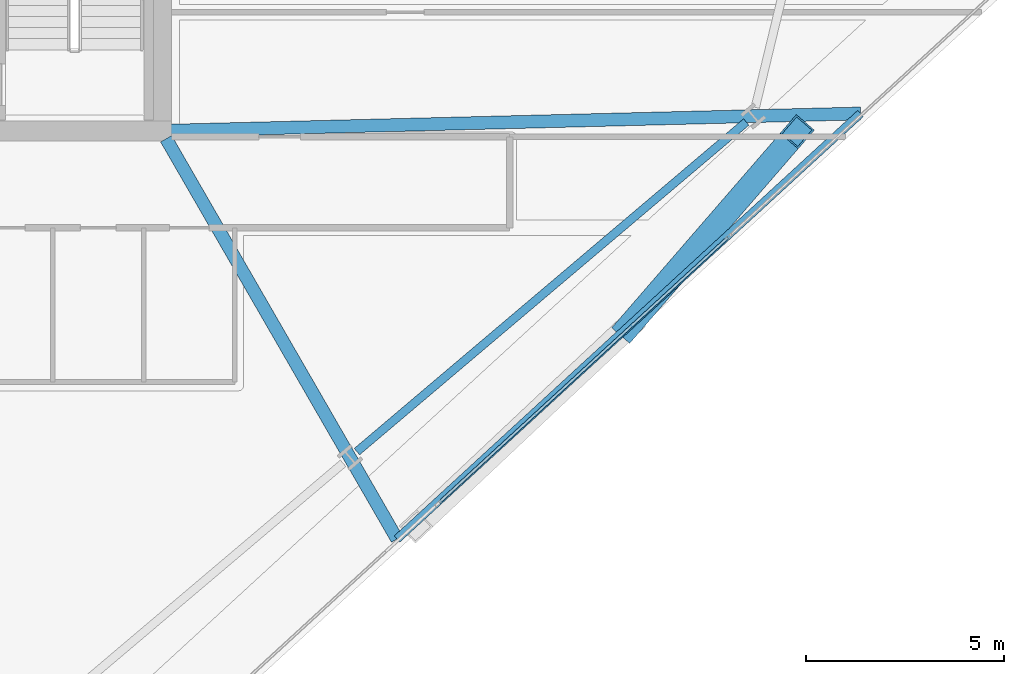
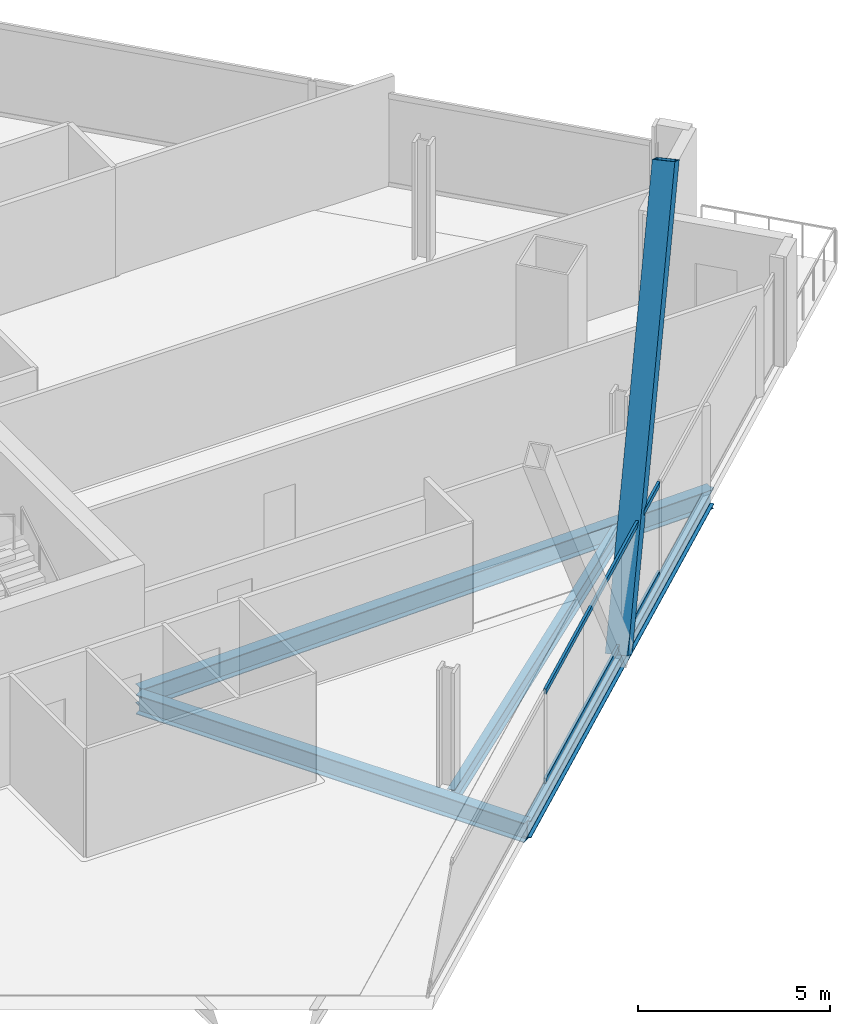
# One storey, part 9 of 32: 4 beams, 3 members, 1 element without a shape of its own.
"""IFC4 building model written with IfcOpenShell, lengths in metres."""

from ifc_helpers import new_model, si_unit, direction, frame, origin, origin_2d, place, context, subcontext, project, spatial, hollow_rectangle, i_section, extrude, material, material_profile, profile_set, type_object, element, aggregate, save


model = new_model("IFC4")

# Units and contexts
model_context = context("Model", 3, precision=1e-05, world=origin(), true_north=direction((0.0, 1.0)))
body_context = subcontext(model_context, "Body", "Model", "MODEL_VIEW")
ifc_project = project(units=[si_unit("LENGTHUNIT", "METRE"), si_unit("AREAUNIT", "SQUARE_METRE"), si_unit("VOLUMEUNIT", "CUBIC_METRE"), si_unit("PLANEANGLEUNIT", "RADIAN"), si_unit("MASSUNIT", "GRAM", prefix="KILO")], contexts=[model_context])

# Site, building, storey
site_placement = place(None, origin())
site = spatial("IfcSite", under=ifc_project, at=site_placement, CompositionType="ELEMENT")
building_placement = place(site_placement, origin())
building = spatial("IfcBuilding", under=site, at=building_placement, Name="Haldenkirk Collegiate Tower", CompositionType="ELEMENT")
storey_placement = place(building_placement, frame((0.0, 0.0, 170.699951171875)))
storey = spatial("IfcBuildingStorey", under=building, at=storey_placement, Name="L42", CompositionType="ELEMENT", Elevation=170.699951171875)

# Beams
ifc_material_1 = material(Name="Steel ASTM A992 Grade 50", Category="steel")
ifc_material_profile_1 = material_profile(ifc_material_1, i_section(OverallWidth=0.324951171875, OverallDepth=0.615966796875, WebThickness=0.013916015625, FlangeThickness=0.021484375, at=origin_2d()), Name="W24X117")
ifc_profile_set_1 = profile_set([ifc_material_profile_1], Name="Steel ASTM A992 Grade 50")
beam_type_1 = type_object("IfcBeamType", Name="BM-GIRDER-W24X117", PredefinedType="BEAM", material=ifc_profile_set_1)
beam_1_placement = place(storey_placement, frame((50.951171875, 7.68212890625, -0.597900390625), z_axis=(-0.499625950951, 0.866241253425, 0.0), x_axis=(-0.866241253425, -0.499625950951, 0.0)))
element("IfcBeam", 1, at=beam_1_placement, inside=storey, type_object=beam_type_1, Name="L42 primary floor girder 06", PredefinedType="BEAM", context=body_context, shape_type="SweptSolid", body=[
    extrude(i_section(OverallWidth=0.324951171875, OverallDepth=0.615966796875, WebThickness=0.013916015625, FlangeThickness=0.021484375, at=origin_2d()), origin(), (0.0, 0.0, 1.0), 11.68115234375),
])
beam_2_placement = place(storey_placement, frame((62.671142578125, 18.4404296875, -0.597900390625), z_axis=(-0.999689383355, -0.024922616383, 0.0), x_axis=(0.024922616383, -0.999689383355, 0.0)))
element("IfcBeam", 2, at=beam_2_placement, inside=storey, type_object=beam_type_1, Name="L42 primary floor girder 07", PredefinedType="BEAM", context=body_context, shape_type="SweptSolid", body=[
    extrude(i_section(OverallWidth=0.324951171875, OverallDepth=0.615966796875, WebThickness=0.013916015625, FlangeThickness=0.021484375, at=origin_2d()), origin(), (0.0, 0.0, 1.0), 17.446533203125),
])
ifc_material_profile_2 = material_profile(ifc_material_1, i_section(OverallWidth=0.2119140625, OverallDepth=0.5439453125, WebThickness=0.01318359375, FlangeThickness=0.021240234375, at=origin_2d()), Name="W21X83")
ifc_profile_set_2 = profile_set([ifc_material_profile_2], Name="Steel ASTM A992 Grade 50")
beam_type_2 = type_object("IfcBeamType", Name="BM-SPANDREL-W21X83", PredefinedType="SPANDREL", material=ifc_profile_set_2)
beam_3_placement = place(storey_placement, frame((49.937255859375, 9.89111328125, -0.56201171875), z_axis=(0.763233335078, 0.646122957514, 0.0), x_axis=(-0.646122957514, 0.763233335078, 0.0)))
element("IfcBeam", 3, at=beam_3_placement, inside=storey, type_object=beam_type_2, Name="L42 perimeter spandrel beam 03", PredefinedType="SPANDREL", context=body_context, shape_type="SweptSolid", body=[
    extrude(i_section(OverallWidth=0.2119140625, OverallDepth=0.5439453125, WebThickness=0.01318359375, FlangeThickness=0.021240234375, at=origin_2d()), origin(), (0.0, 0.0, 1.0), 12.898193359375),
])
beam_4_placement = place(storey_placement, frame((50.951171875, 7.68212890625, -0.56201171875), z_axis=(0.736684490659, 0.676236616298, 0.0), x_axis=(-0.676236616298, 0.736684490659, 0.0)))
element("IfcBeam", 4, at=beam_4_placement, inside=storey, type_object=beam_type_2, Name="L42 outer facade edge beam 1", PredefinedType="SPANDREL", context=body_context, shape_type="SweptSolid", body=[
    extrude(i_section(OverallWidth=0.2119140625, OverallDepth=0.5439453125, WebThickness=0.01318359375, FlangeThickness=0.021240234375, at=origin_2d()), origin(), (0.0, 0.0, 1.0), 15.9091796875),
])

# Curtain wall, members
ifc_material_2 = material(Name="Anodised architectural bronze aluminium", Category="aluminium")
curtain_wall_type = type_object("IfcCurtainWallType", Name="CW-SYS2-CONCAVE", PredefinedType="USERDEFINED", material=ifc_material_2)
curtain_wall_placement = place(storey_placement, origin())
curtain_wall = element("IfcCurtainWall", 5, at=curtain_wall_placement, inside=storey, type_object=curtain_wall_type, Name="L42 South concave recessed bronze-anodised curtain wall", ObjectType="UNITISED CURTAIN WALL", PredefinedType="USERDEFINED")
ifc_material_profile_3 = material_profile(ifc_material_2, hollow_rectangle(XDim=0.074951171875, YDim=0.159912109375, WallThickness=0.0048828125, at=origin_2d()), Name="CW-TRN-02")
ifc_profile_set_3 = profile_set([ifc_material_profile_3], Name="Anodised architectural bronze aluminium")
member_type_1 = type_object("IfcMemberType", Name="CW-TRN-02", PredefinedType="USERDEFINED", material=ifc_profile_set_3)
member_1_placement = place(storey_placement, frame((59.310302734375, 15.301025390625, 0.03759765625), z_axis=(-0.736694346783, -0.676225878992, 0.0), x_axis=(0.676225878992, -0.736694346783, 0.0)))
member_1 = element("IfcMember", 6, at=member_1_placement, type_object=member_type_1, Name="CW-02 transom 2.1", ObjectType="TRANSOM", PredefinedType="USERDEFINED", context=body_context, shape_type="SweptSolid", body=[
    extrude(hollow_rectangle(XDim=0.074951171875, YDim=0.159912109375, WallThickness=0.0048828125, at=origin_2d()), origin(), (0.0, 0.0, 1.0), 9.89990234375),
])
member_2_placement = place(storey_placement, frame((59.310302734375, 15.301025390625, 2.87353515625), z_axis=(-0.736694346783, -0.676225878992, 0.0), x_axis=(0.676225878992, -0.736694346783, 0.0)))
member_2 = element("IfcMember", 7, at=member_2_placement, type_object=member_type_1, Name="CW-02 transom 2.2", ObjectType="TRANSOM", PredefinedType="USERDEFINED", context=body_context, shape_type="SweptSolid", body=[
    extrude(hollow_rectangle(XDim=0.074951171875, YDim=0.159912109375, WallThickness=0.0048828125, at=origin_2d()), origin(), (0.0, 0.0, 1.0), 9.89990234375),
])
aggregate(curtain_wall, [member_1, member_2])

# Member
ifc_material_3 = material(Name="Steel ASTM A572 Grade 50", Category="steel")
ifc_material_profile_4 = material_profile(ifc_material_3, hollow_rectangle(XDim=0.60009765625, YDim=0.719970703125, WallThickness=0.044921875, at=origin_2d()), Name="BOX720X600X45")
ifc_profile_set_4 = profile_set([ifc_material_profile_4], Name="Steel ASTM A572 Grade 50")
member_type_2 = type_object("IfcMemberType", Name="MBR-MEGABRACE-BOX720X600X45", PredefinedType="BRACE", material=ifc_profile_set_4)
member_3_placement = place(storey_placement, frame((56.81103515625, 13.061279296875, -0.300048828125), z_axis=(0.327675973391, 0.378437381493, 0.865686782128), x_axis=(-0.75598866596, 0.654584705703, 0.0)))
element("IfcMember", 8, at=member_3_placement, inside=storey, type_object=member_type_2, Name="Perimeter Mega Brace Z3 L42-L44 SR", PredefinedType="BRACE", context=body_context, shape_type="SweptSolid", body=[
    extrude(hollow_rectangle(XDim=0.60009765625, YDim=0.719970703125, WallThickness=0.044921875, at=origin_2d()), origin(), (0.0, 0.0, 1.0), 12.995361328125),
])

save(model, "model.ifc")
